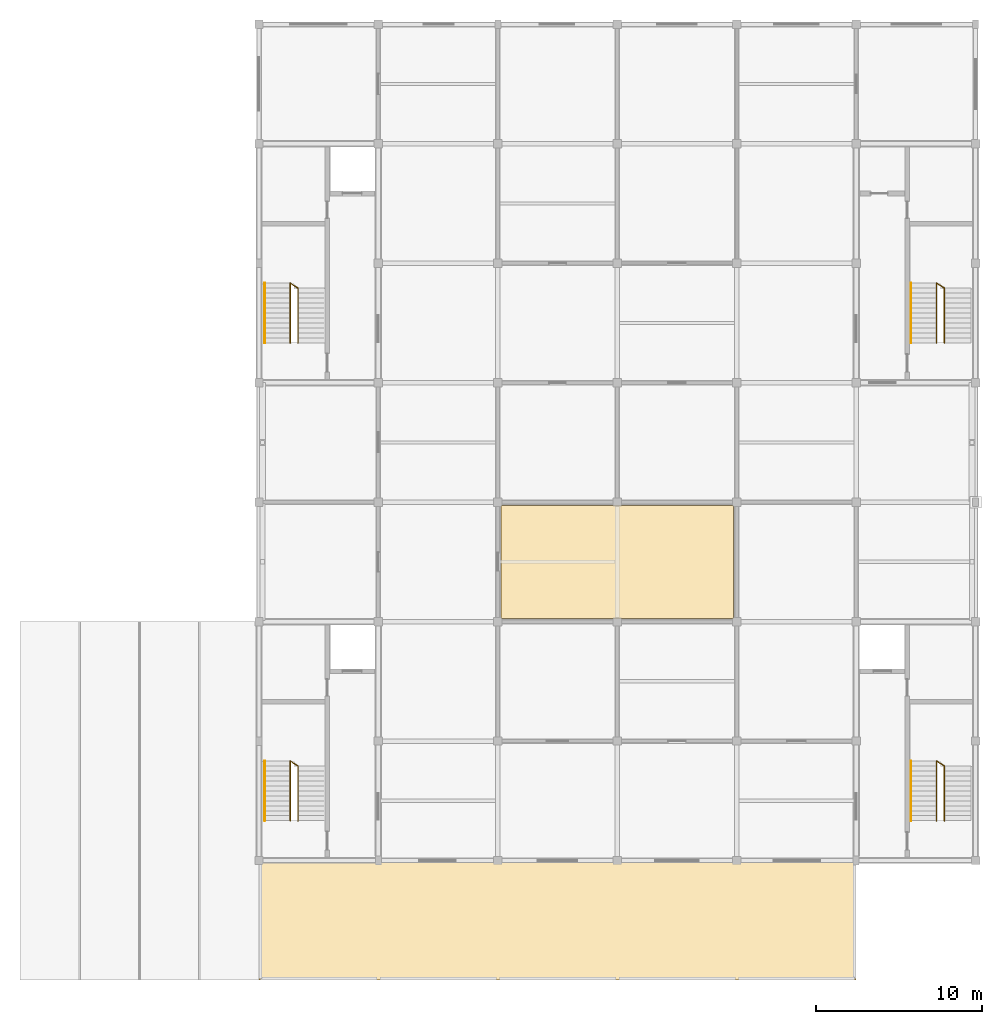
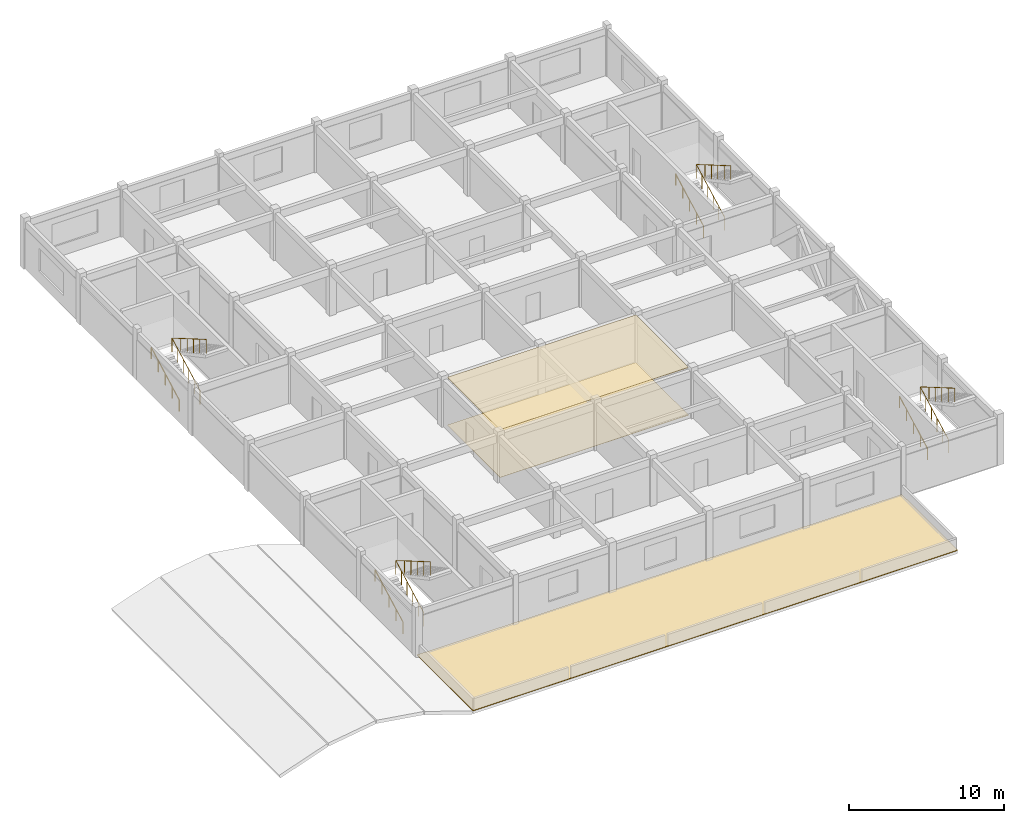
# One storey, part 6 of 6: 8 railings, 3 coverings.
"""IFC4 building model written with IfcOpenShell, lengths in metres."""

from ifc_helpers import new_model, si_unit, direction, frame, origin, origin_2d, place, context, subcontext, project, spatial, polyline, circle, outline, extrude, material, layer, layer_set, type_object, element, save


model = new_model("IFC4")

# Units and contexts
model_context = context("Model", 3, precision=1e-05, world=origin(), true_north=direction((0.0, 1.0)))
body_context = subcontext(model_context, "Body", "Model", "MODEL_VIEW")
ifc_project = project(units=[si_unit("LENGTHUNIT", "METRE"), si_unit("AREAUNIT", "SQUARE_METRE"), si_unit("VOLUMEUNIT", "CUBIC_METRE"), si_unit("PLANEANGLEUNIT", "RADIAN"), si_unit("MASSUNIT", "GRAM", prefix="KILO")], contexts=[model_context])

# Site, building, storey
site_placement = place(None, origin())
site = spatial("IfcSite", under=ifc_project, at=site_placement, CompositionType="ELEMENT")
building_placement = place(site_placement, origin())
building = spatial("IfcBuilding", under=site, at=building_placement, Name="Cendaluz Park School", CompositionType="ELEMENT")
storey_placement = place(building_placement, frame((0.0, 0.0, 55.0)))
storey = spatial("IfcBuildingStorey", under=building, at=storey_placement, Name="L13", CompositionType="ELEMENT", Elevation=55.0)

# Coverings
ifc_material_1 = material(Name="Mineral Fibre Acoustic Tile")
ifc_layer_1 = layer(ifc_material_1, 0.030029296875)
ifc_layer_set_1 = layer_set([ifc_layer_1], Name="Mineral Fibre Acoustic Tile")
covering_type_1 = type_object("IfcCoveringType", Name="CV-CLG01", PredefinedType="CEILING", material=ifc_layer_set_1)
covering_1_placement = place(storey_placement, frame((0.0, 0.0, 3.739990234375)))
element("IfcCovering", 1, at=covering_1_placement, inside=storey, type_object=covering_type_1, Name="CV-CLG-L13-01", PredefinedType="CEILING", context=body_context, shape_type="SweptSolid", body=[
    extrude(outline(polyline([(79.39990234375, 29.0), (93.39990234375, 29.0), (93.39990234375, 35.800048828125), (79.39990234375, 35.800048828125), (79.39990234375, 29.0)])), origin(), (0.0, 0.0, 1.0), 0.030029296875),
])
ifc_material_2 = material(Name="Polished Terrazzo Tile")
ifc_layer_2 = layer(ifc_material_2, 0.02001953125)
ifc_layer_set_2 = layer_set([ifc_layer_2], Name="Polished Terrazzo Tile")
covering_type_2 = type_object("IfcCoveringType", Name="CV-FLR01", PredefinedType="FLOORING", material=ifc_layer_set_2)
covering_2_placement = place(storey_placement, origin())
element("IfcCovering", 2, at=covering_2_placement, inside=storey, type_object=covering_type_2, Name="CV-FLR-L13-01", PredefinedType="FLOORING", context=body_context, shape_type="SweptSolid", body=[
    extrude(outline(polyline([(79.39990234375, 29.0), (93.39990234375, 29.0), (93.39990234375, 35.800048828125), (79.39990234375, 35.800048828125), (79.39990234375, 29.0)])), origin(), (0.0, 0.0, 1.0), 0.02001953125),
])
ifc_material_3 = material(Name="EPDM Roofing Membrane")
ifc_layer_3 = layer(ifc_material_3, 0.06005859375)
ifc_layer_set_3 = layer_set([ifc_layer_3], Name="EPDM Roofing Membrane")
covering_type_3 = type_object("IfcCoveringType", Name="CV-RF01", PredefinedType="ROOFING", material=ifc_layer_set_3)
covering_3_placement = place(storey_placement, origin())
element("IfcCovering", 3, at=covering_3_placement, inside=storey, type_object=covering_type_3, Name="CV-RF-L12-02", PredefinedType="ROOFING", context=body_context, shape_type="SweptSolid", body=[
    extrude(outline(polyline([(64.800048828125, 14.39990234375), (100.800048828125, 14.39990234375), (100.800048828125, 7.199951171875), (64.800048828125, 7.199951171875), (64.800048828125, 14.39990234375)])), origin(), (0.0, 0.0, 1.0), 0.06005859375),
])

# Railings
ifc_material_4 = material(Name="Wrought Iron")
railing_type_1 = type_object("IfcRailingType", Name="GR-ST01", PredefinedType="BALUSTRADE", material=ifc_material_4)
railing_1_placement = place(storey_placement, frame((66.68994140625, 16.800048828125, 0.159912109375)))
element("IfcRailing", 4, at=railing_1_placement, inside=storey, type_object=railing_type_1, Name="GR-ST-029", PredefinedType="BALUSTRADE", context=body_context, shape_type="SweptSolid", body=[
    extrude(circle(Radius=0.02392578125, at=origin_2d()), frame((0.0, 0.0, 1.076171875), z_axis=(0.0, 0.882328093246, 0.470634822203), x_axis=(-1.0, 0.0, 0.0)), (0.0, 0.0, 1.0), 4.079833984375),
    extrude(circle(Radius=0.02392578125, at=origin_2d()), frame((0.0, 3.599853515625, 2.99609375), z_axis=(0.843065864119, -0.537810327864, 0.0), x_axis=(0.537810327864, 0.843065864119, 0.0)), (0.0, 0.0, 1.0), 0.557373046875),
    extrude(circle(Radius=0.02392578125, at=origin_2d()), frame((0.469970703125, 3.300048828125, 2.99609375), z_axis=(0.0, -0.864360466543, 0.502872731293), x_axis=(1.0, 0.0, 0.0)), (0.0, 0.0, 1.0), 3.81787109375),
    extrude(circle(Radius=0.02099609375, at=origin_2d()), origin(), (0.0, 0.0, 1.0), 1.052001953125),
    extrude(circle(Radius=0.02099609375, at=origin_2d()), frame((0.0, 0.719970703125, 0.384033203125)), (0.0, 0.0, 1.0), 1.052001953125),
    extrude(circle(Radius=0.02099609375, at=origin_2d()), frame((0.0, 1.43994140625, 0.76806640625)), (0.0, 0.0, 1.0), 1.052001953125),
    extrude(circle(Radius=0.02099609375, at=origin_2d()), frame((0.0, 2.159912109375, 1.152099609375)), (0.0, 0.0, 1.0), 1.052001953125),
    extrude(circle(Radius=0.02099609375, at=origin_2d()), frame((0.0, 2.8798828125, 1.5361328125)), (0.0, 0.0, 1.0), 1.052001953125),
    extrude(circle(Radius=0.02099609375, at=origin_2d()), frame((0.0, 3.599853515625, 1.920166015625)), (0.0, 0.0, 1.0), 1.052001953125),
    extrude(circle(Radius=0.02099609375, at=origin_2d()), frame((0.469970703125, 3.300048828125, 1.920166015625)), (0.0, 0.0, 1.0), 1.052001953125),
    extrude(circle(Radius=0.02099609375, at=origin_2d()), frame((0.469970703125, 2.47509765625, 2.400146484375)), (0.0, 0.0, 1.0), 1.052001953125),
    extrude(circle(Radius=0.02099609375, at=origin_2d()), frame((0.469970703125, 1.64990234375, 2.880126953125)), (0.0, 0.0, 1.0), 1.052001953125),
    extrude(circle(Radius=0.02099609375, at=origin_2d()), frame((0.469970703125, 0.824951171875, 3.360107421875)), (0.0, 0.0, 1.0), 1.052001953125),
    extrude(circle(Radius=0.02099609375, at=origin_2d()), frame((0.469970703125, 0.0, 3.840087890625)), (0.0, 0.0, 1.0), 1.052001953125),
])
railing_2_placement = place(storey_placement, frame((105.639892578125, 16.800048828125, 0.159912109375)))
element("IfcRailing", 5, at=railing_2_placement, inside=storey, type_object=railing_type_1, Name="GR-ST-064", PredefinedType="BALUSTRADE", context=body_context, shape_type="SweptSolid", body=[
    extrude(circle(Radius=0.02392578125, at=origin_2d()), frame((0.0, 0.0, 1.076171875), z_axis=(0.0, 0.882328093246, 0.470634822203), x_axis=(-1.0, 0.0, 0.0)), (0.0, 0.0, 1.0), 4.079833984375),
    extrude(circle(Radius=0.02392578125, at=origin_2d()), frame((0.0, 3.599853515625, 2.99609375), z_axis=(0.843192468449, -0.537611812697, 0.0), x_axis=(0.537611812697, 0.843192468449, 0.0)), (0.0, 0.0, 1.0), 0.5576171875),
    extrude(circle(Radius=0.02392578125, at=origin_2d()), frame((0.47021484375, 3.300048828125, 2.99609375), z_axis=(0.0, -0.864360466543, 0.502872731293), x_axis=(1.0, 0.0, 0.0)), (0.0, 0.0, 1.0), 3.81787109375),
    extrude(circle(Radius=0.02099609375, at=origin_2d()), origin(), (0.0, 0.0, 1.0), 1.052001953125),
    extrude(circle(Radius=0.02099609375, at=origin_2d()), frame((0.0, 0.719970703125, 0.384033203125)), (0.0, 0.0, 1.0), 1.052001953125),
    extrude(circle(Radius=0.02099609375, at=origin_2d()), frame((0.0, 1.43994140625, 0.76806640625)), (0.0, 0.0, 1.0), 1.052001953125),
    extrude(circle(Radius=0.02099609375, at=origin_2d()), frame((0.0, 2.159912109375, 1.152099609375)), (0.0, 0.0, 1.0), 1.052001953125),
    extrude(circle(Radius=0.02099609375, at=origin_2d()), frame((0.0, 2.8798828125, 1.5361328125)), (0.0, 0.0, 1.0), 1.052001953125),
    extrude(circle(Radius=0.02099609375, at=origin_2d()), frame((0.0, 3.599853515625, 1.920166015625)), (0.0, 0.0, 1.0), 1.052001953125),
    extrude(circle(Radius=0.02099609375, at=origin_2d()), frame((0.47021484375, 3.300048828125, 1.920166015625)), (0.0, 0.0, 1.0), 1.052001953125),
    extrude(circle(Radius=0.02099609375, at=origin_2d()), frame((0.47021484375, 2.47509765625, 2.400146484375)), (0.0, 0.0, 1.0), 1.052001953125),
    extrude(circle(Radius=0.02099609375, at=origin_2d()), frame((0.47021484375, 1.64990234375, 2.880126953125)), (0.0, 0.0, 1.0), 1.052001953125),
    extrude(circle(Radius=0.02099609375, at=origin_2d()), frame((0.47021484375, 0.824951171875, 3.360107421875)), (0.0, 0.0, 1.0), 1.052001953125),
    extrude(circle(Radius=0.02099609375, at=origin_2d()), frame((0.47021484375, 0.0, 3.840087890625)), (0.0, 0.0, 1.0), 1.052001953125),
])
railing_3_placement = place(storey_placement, frame((66.68994140625, 45.60009765625, 0.159912109375)))
element("IfcRailing", 6, at=railing_3_placement, inside=storey, type_object=railing_type_1, Name="GR-ST-099", PredefinedType="BALUSTRADE", context=body_context, shape_type="SweptSolid", body=[
    extrude(circle(Radius=0.02392578125, at=origin_2d()), frame((0.0, 0.0, 1.076171875), z_axis=(0.0, 0.882328093246, 0.470634822203), x_axis=(-1.0, 0.0, 0.0)), (0.0, 0.0, 1.0), 4.079833984375),
    extrude(circle(Radius=0.02392578125, at=origin_2d()), frame((0.0, 3.599853515625, 2.99609375), z_axis=(0.842867279897, -0.538121499737, 0.0), x_axis=(0.538121499737, 0.842867279897, 0.0)), (0.0, 0.0, 1.0), 0.5576171875),
    extrude(circle(Radius=0.02392578125, at=origin_2d()), frame((0.469970703125, 3.2998046875, 2.99609375), z_axis=(0.0, -0.86434429443, 0.502900527626), x_axis=(1.0, 0.0, 0.0)), (0.0, 0.0, 1.0), 3.817626953125),
    extrude(circle(Radius=0.02099609375, at=origin_2d()), origin(), (0.0, 0.0, 1.0), 1.052001953125),
    extrude(circle(Radius=0.02099609375, at=origin_2d()), frame((0.0, 0.719970703125, 0.384033203125)), (0.0, 0.0, 1.0), 1.052001953125),
    extrude(circle(Radius=0.02099609375, at=origin_2d()), frame((0.0, 1.43994140625, 0.76806640625)), (0.0, 0.0, 1.0), 1.052001953125),
    extrude(circle(Radius=0.02099609375, at=origin_2d()), frame((0.0, 2.159912109375, 1.152099609375)), (0.0, 0.0, 1.0), 1.052001953125),
    extrude(circle(Radius=0.02099609375, at=origin_2d()), frame((0.0, 2.8798828125, 1.5361328125)), (0.0, 0.0, 1.0), 1.052001953125),
    extrude(circle(Radius=0.02099609375, at=origin_2d()), frame((0.0, 3.599853515625, 1.920166015625)), (0.0, 0.0, 1.0), 1.052001953125),
    extrude(circle(Radius=0.02099609375, at=origin_2d()), frame((0.469970703125, 3.2998046875, 1.920166015625)), (0.0, 0.0, 1.0), 1.052001953125),
    extrude(circle(Radius=0.02099609375, at=origin_2d()), frame((0.469970703125, 2.474853515625, 2.400146484375)), (0.0, 0.0, 1.0), 1.052001953125),
    extrude(circle(Radius=0.02099609375, at=origin_2d()), frame((0.469970703125, 1.64990234375, 2.880126953125)), (0.0, 0.0, 1.0), 1.052001953125),
    extrude(circle(Radius=0.02099609375, at=origin_2d()), frame((0.469970703125, 0.824951171875, 3.360107421875)), (0.0, 0.0, 1.0), 1.052001953125),
    extrude(circle(Radius=0.02099609375, at=origin_2d()), frame((0.469970703125, 0.0, 3.840087890625)), (0.0, 0.0, 1.0), 1.052001953125),
])
railing_4_placement = place(storey_placement, frame((105.639892578125, 45.60009765625, 0.159912109375)))
element("IfcRailing", 7, at=railing_4_placement, inside=storey, type_object=railing_type_1, Name="GR-ST-134", PredefinedType="BALUSTRADE", context=body_context, shape_type="SweptSolid", body=[
    extrude(circle(Radius=0.02392578125, at=origin_2d()), frame((0.0, 0.0, 1.076171875), z_axis=(0.0, 0.882328093246, 0.470634822203), x_axis=(-1.0, 0.0, 0.0)), (0.0, 0.0, 1.0), 4.079833984375),
    extrude(circle(Radius=0.02392578125, at=origin_2d()), frame((0.0, 3.599853515625, 2.99609375), z_axis=(0.84299400095, -0.537922963223, 0.0), x_axis=(0.537922963223, 0.84299400095, 0.0)), (0.0, 0.0, 1.0), 0.557861328125),
    extrude(circle(Radius=0.02392578125, at=origin_2d()), frame((0.47021484375, 3.2998046875, 2.99609375), z_axis=(0.0, -0.86434429443, 0.502900527626), x_axis=(1.0, 0.0, 0.0)), (0.0, 0.0, 1.0), 3.817626953125),
    extrude(circle(Radius=0.02099609375, at=origin_2d()), origin(), (0.0, 0.0, 1.0), 1.052001953125),
    extrude(circle(Radius=0.02099609375, at=origin_2d()), frame((0.0, 0.719970703125, 0.384033203125)), (0.0, 0.0, 1.0), 1.052001953125),
    extrude(circle(Radius=0.02099609375, at=origin_2d()), frame((0.0, 1.43994140625, 0.76806640625)), (0.0, 0.0, 1.0), 1.052001953125),
    extrude(circle(Radius=0.02099609375, at=origin_2d()), frame((0.0, 2.159912109375, 1.152099609375)), (0.0, 0.0, 1.0), 1.052001953125),
    extrude(circle(Radius=0.02099609375, at=origin_2d()), frame((0.0, 2.8798828125, 1.5361328125)), (0.0, 0.0, 1.0), 1.052001953125),
    extrude(circle(Radius=0.02099609375, at=origin_2d()), frame((0.0, 3.599853515625, 1.920166015625)), (0.0, 0.0, 1.0), 1.052001953125),
    extrude(circle(Radius=0.02099609375, at=origin_2d()), frame((0.47021484375, 3.2998046875, 1.920166015625)), (0.0, 0.0, 1.0), 1.052001953125),
    extrude(circle(Radius=0.02099609375, at=origin_2d()), frame((0.47021484375, 2.474853515625, 2.400146484375)), (0.0, 0.0, 1.0), 1.052001953125),
    extrude(circle(Radius=0.02099609375, at=origin_2d()), frame((0.47021484375, 1.64990234375, 2.880126953125)), (0.0, 0.0, 1.0), 1.052001953125),
    extrude(circle(Radius=0.02099609375, at=origin_2d()), frame((0.47021484375, 0.824951171875, 3.360107421875)), (0.0, 0.0, 1.0), 1.052001953125),
    extrude(circle(Radius=0.02099609375, at=origin_2d()), frame((0.47021484375, 0.0, 3.840087890625)), (0.0, 0.0, 1.0), 1.052001953125),
])
ifc_material_5 = material(Name="Architectural Bronze")
railing_type_2 = type_object("IfcRailingType", Name="HR-ST01", PredefinedType="HANDRAIL", material=ifc_material_5)
for number, where, name in (
    (8, (65.14990234375, 16.800048828125, 0.159912109375), "HR-ST-030"),
    (9, (104.10009765625, 16.800048828125, 0.159912109375), "HR-ST-065"),
    (10, (65.14990234375, 45.60009765625, 0.159912109375), "HR-ST-100"),
    (11, (104.10009765625, 45.60009765625, 0.159912109375), "HR-ST-135"),
):
    element("IfcRailing", number, at=place(storey_placement, frame(where)), inside=storey, type_object=railing_type_2, Name=name, PredefinedType="HANDRAIL", context=body_context, shape_type="SweptSolid", body=[
        extrude(circle(Radius=0.02392578125, at=origin_2d()), frame((0.0, 0.0, 0.8759765625), z_axis=(0.0, 0.882328093246, 0.470634822203), x_axis=(-1.0, 0.0, 0.0)), (0.0, 0.0, 1.0), 4.079833984375),
        extrude(circle(Radius=0.02099609375, at=origin_2d()), origin(), (0.0, 0.0, 1.0), 0.851806640625),
        extrude(circle(Radius=0.02099609375, at=origin_2d()), frame((0.0, 0.89990234375, 0.47998046875)), (0.0, 0.0, 1.0), 0.851806640625),
        extrude(circle(Radius=0.02099609375, at=origin_2d()), frame((0.0, 1.7998046875, 0.9599609375)), (0.0, 0.0, 1.0), 0.851806640625),
        extrude(circle(Radius=0.02099609375, at=origin_2d()), frame((0.0, 2.699951171875, 1.440185546875)), (0.0, 0.0, 1.0), 0.851806640625),
        extrude(circle(Radius=0.02099609375, at=origin_2d()), frame((0.0, 3.599853515625, 1.920166015625)), (0.0, 0.0, 1.0), 0.851806640625),
    ])

save(model, "model.ifc")
